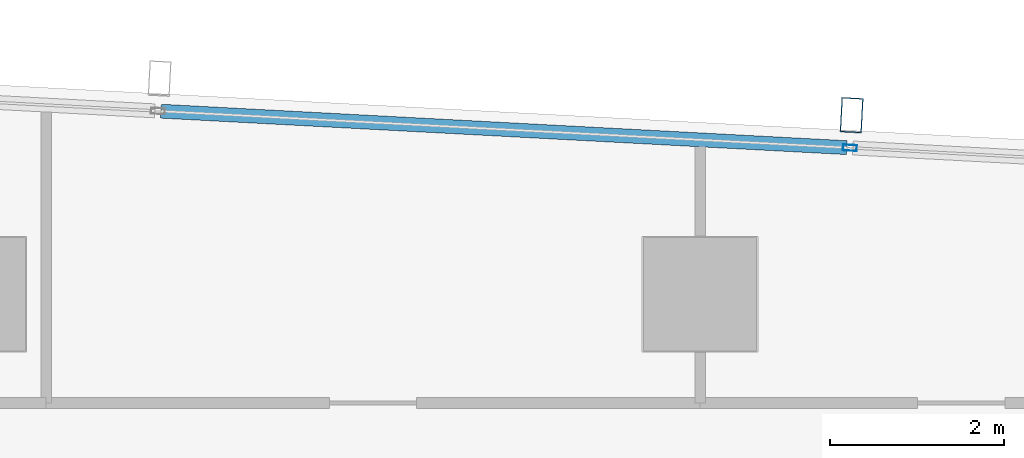
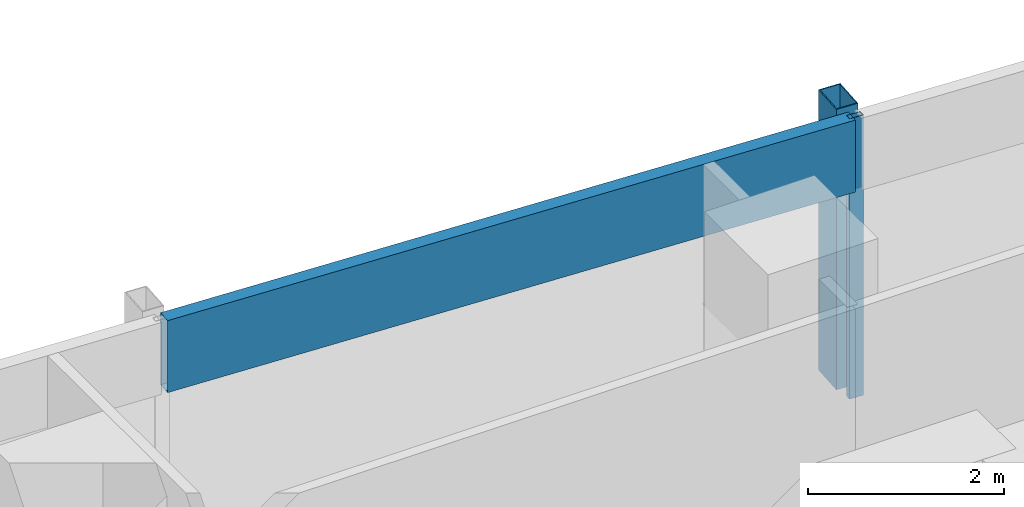
# One storey, part 19 of 29: 3 members, 1 element without a shape of its own.
"""IFC4 building model written with IfcOpenShell, lengths in metres."""

from ifc_helpers import new_model, si_unit, direction, frame, origin, origin_2d, place, context, subcontext, project, spatial, hollow_rectangle, extrude, material, material_profile, profile_set, type_object, element, aggregate, save


model = new_model("IFC4")

# Units and contexts
model_context = context("Model", 3, precision=1e-05, world=origin(), true_north=direction((0.0, 1.0)))
body_context = subcontext(model_context, "Body", "Model", "MODEL_VIEW")
ifc_project = project(units=[si_unit("LENGTHUNIT", "METRE"), si_unit("AREAUNIT", "SQUARE_METRE"), si_unit("VOLUMEUNIT", "CUBIC_METRE"), si_unit("PLANEANGLEUNIT", "RADIAN"), si_unit("MASSUNIT", "GRAM", prefix="KILO")], contexts=[model_context])

# Site, building, storey
site_placement = place(None, origin())
site = spatial("IfcSite", under=ifc_project, at=site_placement, CompositionType="ELEMENT")
building_placement = place(site_placement, origin())
building = spatial("IfcBuilding", under=site, at=building_placement, Name="Rekha Terrace Tower", CompositionType="ELEMENT")
storey_placement = place(building_placement, frame((0.0, 0.0, 257.60009765625)))
storey = spatial("IfcBuildingStorey", under=building, at=storey_placement, Name="L65", CompositionType="ELEMENT", Elevation=257.60009765625)

# Curtain wall, members
ifc_material_1 = material(Name="Aluminium framing", Category="aluminium")
curtain_wall_type = type_object("IfcCurtainWallType", Name="CW3 north unitised glazing", PredefinedType="USERDEFINED", material=ifc_material_1)
curtain_wall_placement = place(storey_placement, origin())
curtain_wall = element("IfcCurtainWall", 1, at=curtain_wall_placement, inside=storey, type_object=curtain_wall_type, Name="CW3 unitised curtain wall", ObjectType="UNITISED CURTAIN WALL", PredefinedType="USERDEFINED")
ifc_material_2 = material(Name="Steel S355 with fluorocarbon finish", Category="steel")
ifc_material_profile_1 = material_profile(ifc_material_2, hollow_rectangle(XDim=0.25, YDim=0.39990234375, WallThickness=0.012451171875, at=origin_2d()), Name="RHS400x250x12.5")
ifc_profile_set_1 = profile_set([ifc_material_profile_1], Name="Steel S355 with fluorocarbon finish")
member_type_1 = type_object("IfcMemberType", Name="BL1 facade blade RHS 400 x 250", PredefinedType="USERDEFINED", material=ifc_profile_set_1)
member_1_placement = place(storey_placement, frame((52.142822265625, 52.456298828125, 0.0), z_axis=(0.0, 0.0, 1.0), x_axis=(-0.998590068481, 0.053083661621, 0.0)))
member_1 = element("IfcMember", 2, at=member_1_placement, type_object=member_type_1, Name="Facade blade", ObjectType="FACADE BLADE", PredefinedType="USERDEFINED", context=body_context, shape_type="SweptSolid", body=[
    extrude(hollow_rectangle(XDim=0.25, YDim=0.39990234375, WallThickness=0.012451171875, at=origin_2d()), origin(), (0.0, 0.0, 1.0), 3.5),
])
ifc_material_3 = material(Name="Aluminium mullion section", Category="aluminium")
ifc_material_profile_2 = material_profile(ifc_material_3, hollow_rectangle(XDim=0.070068359375, YDim=0.159912109375, WallThickness=0.00390625, at=origin_2d()), Name="AL RHS 70x160")
ifc_profile_set_2 = profile_set([ifc_material_profile_2], Name="Aluminium mullion section")
member_type_2 = type_object("IfcMemberType", Name="CW3 mullion RHS 70 x 160", PredefinedType="MULLION", material=ifc_profile_set_2)
member_2_placement = place(storey_placement, frame((52.122802734375, 52.081787109375, 0.0), z_axis=(0.0, 0.0, 1.0), x_axis=(-0.053083275524, -0.998590089005, 0.0)))
member_2 = element("IfcMember", 3, at=member_2_placement, type_object=member_type_2, Name="CW3 mullion 2", PredefinedType="MULLION", context=body_context, shape_type="SweptSolid", body=[
    extrude(hollow_rectangle(XDim=0.070068359375, YDim=0.159912109375, WallThickness=0.00390625, at=origin_2d()), origin(), (0.0, 0.0, 1.0), 3.5),
])
ifc_material_4 = material(Name="Insulated aluminium spandrel box", Category="aluminium")
ifc_material_profile_3 = material_profile(ifc_material_4, hollow_rectangle(XDim=0.159912109375, YDim=0.89990234375, WallThickness=0.0029296875, at=origin_2d()), Name="AL SPANDREL BOX 160x900")
ifc_profile_set_3 = profile_set([ifc_material_profile_3], Name="Insulated aluminium spandrel box")
member_type_3 = type_object("IfcMemberType", Name="CW3 spandrel transom 160 x 900", PredefinedType="USERDEFINED", material=ifc_profile_set_3)
member_3_placement = place(storey_placement, frame((52.087890625, 52.08349609375, 3.0498046875), z_axis=(-0.998589741295, 0.053089816156, 0.0), x_axis=(-0.053089816156, -0.998589741295, 0.0)))
member_3 = element("IfcMember", 4, at=member_3_placement, type_object=member_type_3, Name="CW3 spandrel transom 2", ObjectType="TRANSOM", PredefinedType="USERDEFINED", context=body_context, shape_type="SweptSolid", body=[
    extrude(hollow_rectangle(XDim=0.159912109375, YDim=0.89990234375, WallThickness=0.0029296875, at=origin_2d()), origin(), (0.0, 0.0, 1.0), 7.891357421875),
])
aggregate(curtain_wall, [member_2, member_3, member_1])

save(model, "model.ifc")
